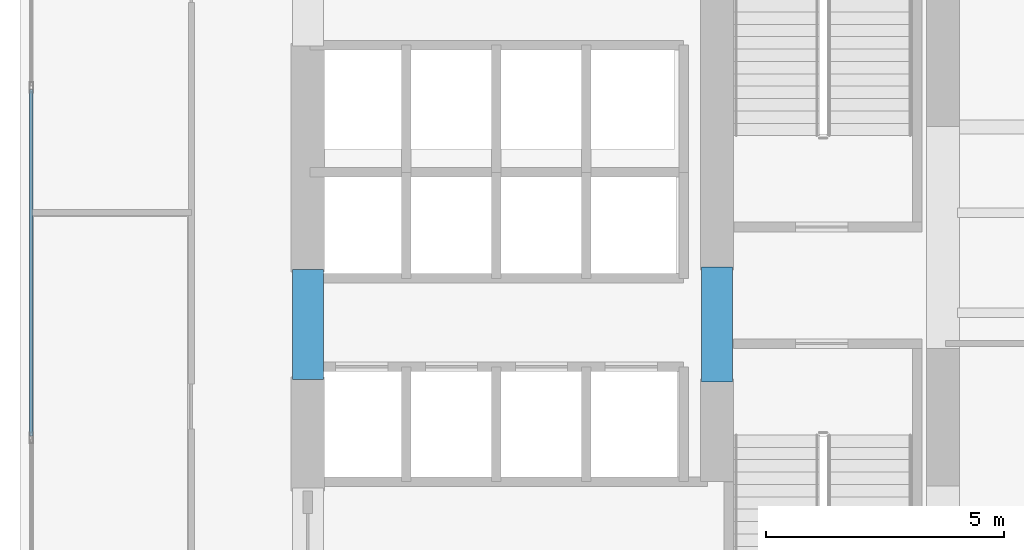
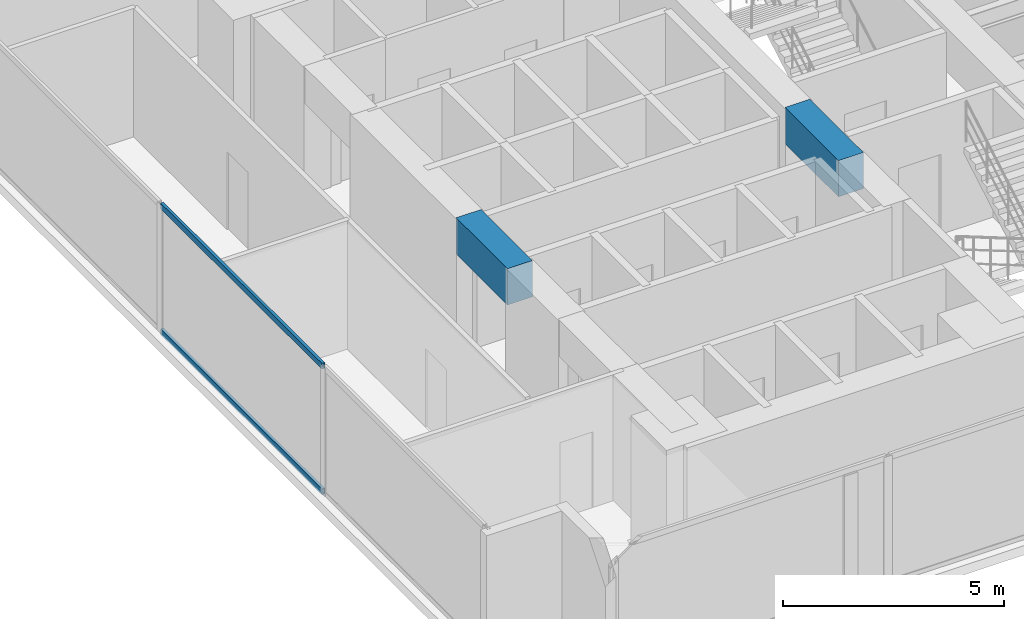
# One storey, part 3 of 31: 2 beams, 2 members, 1 element without a shape of its own.
"""IFC4 building model written with IfcOpenShell, lengths in metres."""

from ifc_helpers import new_model, si_unit, direction, frame, origin, origin_with_axes, origin_2d, place, context, subcontext, project, spatial, rectangle, hollow_rectangle, extrude, source, transform, mapped, material, layer, layer_set, material_profile, profile_set, type_object, element, aggregate, save


model = new_model("IFC4")

# Units and contexts
model_context = context("Model", 3, precision=1e-05, world=origin(), true_north=direction((0.0, 1.0)))
body_context = subcontext(model_context, "Body", "Model", "MODEL_VIEW")
ifc_project = project(units=[si_unit("LENGTHUNIT", "METRE"), si_unit("AREAUNIT", "SQUARE_METRE"), si_unit("VOLUMEUNIT", "CUBIC_METRE"), si_unit("PLANEANGLEUNIT", "RADIAN"), si_unit("MASSUNIT", "GRAM", prefix="KILO")], contexts=[model_context])

# Site, building, storey
site_placement = place(None, origin())
site = spatial("IfcSite", under=ifc_project, at=site_placement, CompositionType="ELEMENT")
building_placement = place(site_placement, origin())
building = spatial("IfcBuilding", under=site, at=building_placement, Name="Kolvaren Waterfront Exchange", CompositionType="ELEMENT")
storey_placement = place(building_placement, frame((0.0, 0.0, 67.60009765625)))
storey = spatial("IfcBuildingStorey", under=building, at=storey_placement, Name="L17", CompositionType="ELEMENT", Elevation=67.60009765625)

# Beams
ifc_material_1 = material(Name="Concrete C60/75", Category="concrete")
ifc_material_profile_1 = material_profile(ifc_material_1, rectangle(XDim=0.64990234375, YDim=1.0, at=origin_2d()), Name="RC-CB-1000x650")
ifc_profile_set_1 = profile_set([ifc_material_profile_1], Name="Concrete C60/75")
beam_type = type_object("IfcBeamType", Name="STR-CB-1000", PredefinedType="SPANDREL", material=ifc_profile_set_1)
beam_1_placement = place(storey_placement, frame((7.449951171875, 12.090087890625, 3.039794921875), z_axis=(0.0, 1.0, 0.0), x_axis=(-1.0, 0.0, 0.0)))
element("IfcBeam", 1, at=beam_1_placement, inside=storey, type_object=beam_type, Name="L17 core coupling beam 4", PredefinedType="SPANDREL", context=body_context, shape_type="SweptSolid", body=[
    extrude(rectangle(XDim=0.64990234375, YDim=1.0, at=origin_2d()), origin(), (0.0, 0.0, 1.0), 2.31982421875),
])
beam_2_placement = place(storey_placement, frame((16.050048828125, 12.0400390625, 3.039794921875), z_axis=(0.0, 1.0, 0.0), x_axis=(-1.0, 0.0, 0.0)))
element("IfcBeam", 2, at=beam_2_placement, inside=storey, type_object=beam_type, Name="L17 core coupling beam 6", PredefinedType="SPANDREL", context=body_context, shape_type="SweptSolid", body=[
    extrude(rectangle(XDim=0.64990234375, YDim=1.0, at=origin_2d()), origin(), (0.0, 0.0, 1.0), 2.419921875),
])

# Curtain wall, members
ifc_material_2 = material(Name="Anodised aluminium 6063-T6", Category="aluminium")
ifc_layer = layer(ifc_material_2, 0.219970703125, Name="Anodised aluminium 6063-T6")
ifc_layer_set = layer_set([ifc_layer], Name="Anodised aluminium 6063-T6")
curtain_wall_type = type_object("IfcCurtainWallType", Name="ARC-CW-SYS2", PredefinedType="USERDEFINED", material=ifc_layer_set)
curtain_wall_placement = place(storey_placement, origin())
curtain_wall = element("IfcCurtainWall", 3, at=curtain_wall_placement, inside=storey, type_object=curtain_wall_type, Name="L17 stick curtain wall CW2 (CW-L17-W)", ObjectType="STICK CURTAIN WALL", PredefinedType="USERDEFINED")
ifc_material_profile_2 = material_profile(ifc_material_2, hollow_rectangle(XDim=0.074951171875, YDim=0.159912109375, WallThickness=0.00439453125, at=origin_2d()), Name="ALU-TRN-160x75x4.5")
ifc_profile_set_2 = profile_set([ifc_material_profile_2], Name="Anodised aluminium 6063-T6")
member_type = type_object("IfcMemberType", Name="ARC-CWT-160", PredefinedType="USERDEFINED", material=ifc_profile_set_2)
shared_shape = source(origin_with_axes(), body_context, "Body", "SweptSolid", [
    extrude(hollow_rectangle(XDim=0.074951171875, YDim=0.159912109375, WallThickness=0.00439453125, at=origin_2d()), origin(), (0.0, 0.0, 1.0), 7.28662109375),
])
member_1_placement = place(storey_placement, frame((1.639892578125, 10.90673828125, 0.037353515625), z_axis=(0.0, 1.0, 0.0), x_axis=(-1.0, 0.0, 0.0)))
member_1 = element("IfcMember", 4, at=member_1_placement, type_object=member_type, Name="CW2 transom 2.1", ObjectType="TRANSOM", PredefinedType="USERDEFINED", context=body_context, shape_type="MappedRepresentation", body=[
    mapped(shared_shape, transform((0.0, 0.0, 0.0), x_axis=(1.0, 0.0, 0.0), y_axis=(0.0, 1.0, 0.0), z_axis=(0.0, 0.0, 1.0), scale=1.0)),
])
member_2_placement = place(storey_placement, frame((1.639892578125, 10.90673828125, 3.50244140625), z_axis=(0.0, 1.0, 0.0), x_axis=(-1.0, 0.0, 0.0)))
member_2 = element("IfcMember", 5, at=member_2_placement, type_object=member_type, Name="CW2 transom 2.2", ObjectType="TRANSOM", PredefinedType="USERDEFINED", context=body_context, shape_type="MappedRepresentation", body=[
    mapped(shared_shape, transform((0.0, 0.0, 0.0), x_axis=(1.0, 0.0, 0.0), y_axis=(0.0, 1.0, 0.0), z_axis=(0.0, 0.0, 1.0), scale=1.0)),
])
aggregate(curtain_wall, [member_1, member_2])

save(model, "model.ifc")
